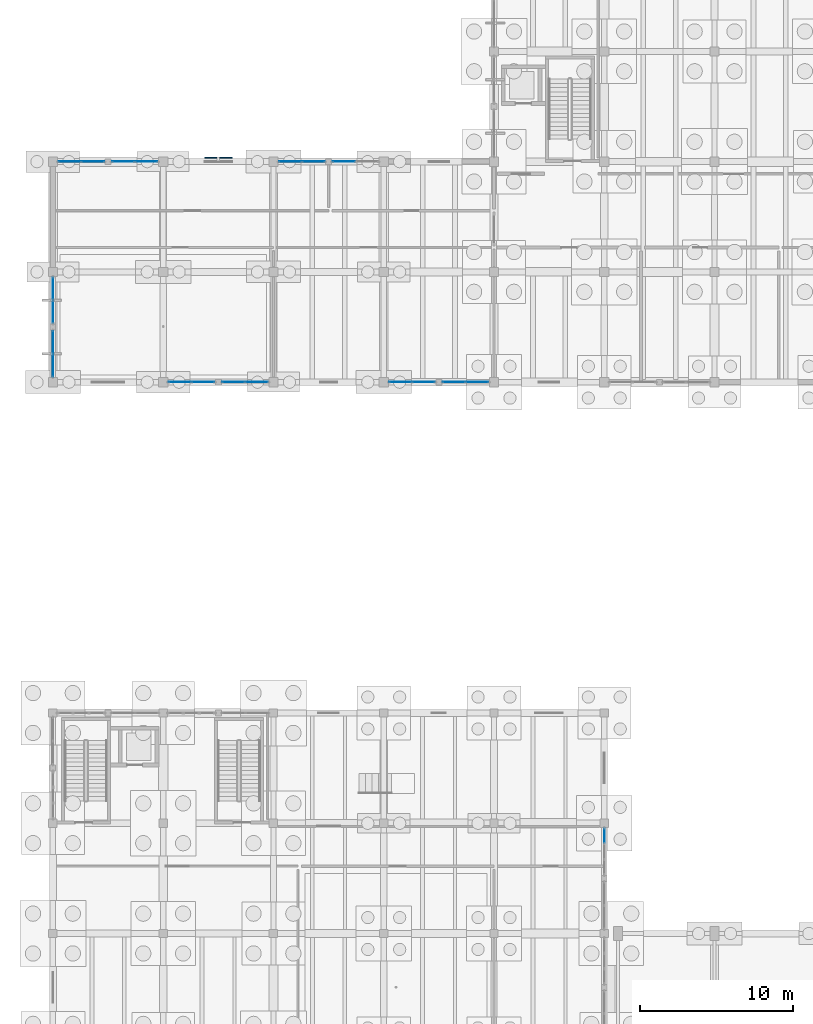
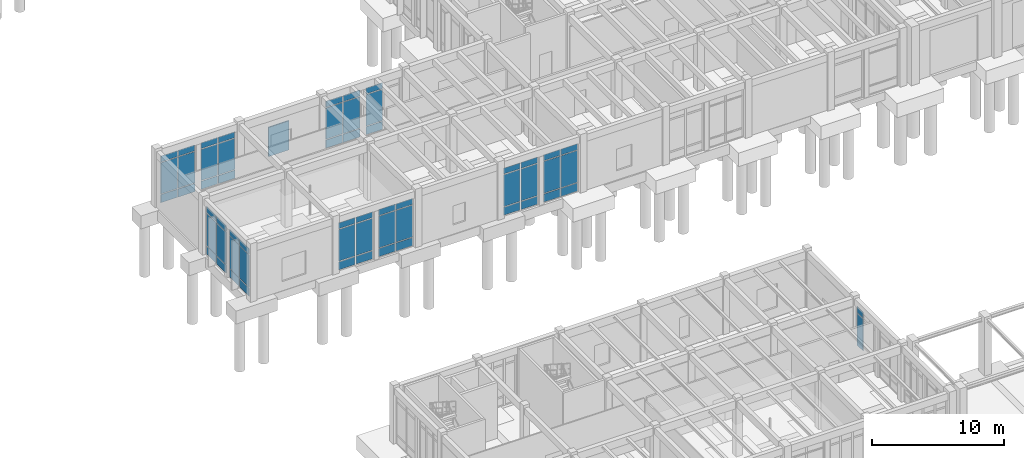
# One storey, part 51 of 93: 60 plates, 11 elements without a shape of their own.
"""IFC4 building model written with IfcOpenShell, lengths in metres."""

import ifcopenshell
import ifcopenshell.guid

model = None  # the IFC model being written
_history = None  # IfcOwnerHistory: only IFC2X3 demands one
_inside = {}  # id of a spatial element -> (the spatial element, [elements in it])
_under = {}  # id of a project, library or spatial element -> (it, [spatial elements below it])
_declared = {}  # id of a project -> (the project, [libraries it declares])
_typed = {}  # id of a type object -> (the type object, [elements of that type])
_made_of = {}  # id of a material, layer set ... -> (it, [elements and type objects made of it])


def new_model(schema):
    """Start an empty IFC model of exactly this schema.

    Asked for "IFC4X3", IfcOpenShell would pick the latest addendum, in which some entities
    have other attributes; the version numbers below select the first issue.
    IFC2X3 requires an IfcOwnerHistory on every rooted entity: one is made here for all.
    """
    global model, _history
    if schema == "IFC4X3":
        model = ifcopenshell.file(schema_version=(4, 3, 0, 0))
    else:
        model = ifcopenshell.file(schema=schema)
    _inside.clear()
    _under.clear()
    _declared.clear()
    _typed.clear()
    _made_of.clear()
    _history = None
    if model.schema == "IFC2X3":
        org = make("IfcOrganization", Name="unknown")
        user = make(
            "IfcPersonAndOrganization",
            ThePerson=make("IfcPerson", FamilyName="unknown"),
            TheOrganization=org,
        )
        app = make(
            "IfcApplication",
            ApplicationDeveloper=org,
            Version="unknown",
            ApplicationFullName="unknown",
            ApplicationIdentifier="unknown",
        )
        _history = make(
            "IfcOwnerHistory",
            OwningUser=user,
            OwningApplication=app,
            ChangeAction="ADDED",
            CreationDate=0,
        )
    return model


def make(cls, **values):
    """One entity of the class cls with the attributes given. An attribute that is None is left unset."""
    return model.create_entity(
        cls, **{name: value for name, value in values.items() if value is not None}
    )


def rooted(cls, **values):
    """An entity with a GlobalId (a new one), such as an element, a storey or a relation."""
    return make(cls, GlobalId=ifcopenshell.guid.new(), OwnerHistory=_history, **values)


def si_unit(unit_type, name, prefix=None):
    """IfcSIUnit, for example si_unit("LENGTHUNIT", "METRE", prefix="MILLI")."""
    return make("IfcSIUnit", UnitType=unit_type, Prefix=prefix, Name=name)


def assignment(units):
    """IfcUnitAssignment: the units of a project."""
    return None if units is None else make("IfcUnitAssignment", Units=units)


def point(xyz):
    """IfcCartesianPoint."""
    return None if xyz is None else make("IfcCartesianPoint", Coordinates=xyz)


def direction(xyz):
    """IfcDirection."""
    return None if xyz is None else make("IfcDirection", DirectionRatios=xyz)


def frame(location, z_axis=None, x_axis=None):
    """IfcAxis2Placement3D, a coordinate frame: its origin and axes. An axis left out is left unset."""
    return make(
        "IfcAxis2Placement3D",
        Location=point(location),
        Axis=direction(z_axis),
        RefDirection=direction(x_axis),
    )


def frame_2d(location, x_axis=None):
    """IfcAxis2Placement2D, a coordinate frame in the plane: its origin and x axis."""
    return make(
        "IfcAxis2Placement2D", Location=point(location), RefDirection=direction(x_axis)
    )


def origin():
    """The frame at (0, 0, 0) with its axes left unset."""
    return frame((0.0, 0.0, 0.0))


def origin_2d():
    """The frame at (0, 0) in the plane with its x axis left unset."""
    return frame_2d((0.0, 0.0))


def place(relative_to, where):
    """IfcLocalPlacement: puts the frame where relative to a parent placement (None: the world)."""
    return make(
        "IfcLocalPlacement", PlacementRelTo=relative_to, RelativePlacement=where
    )


def context(
    kind, dimensions, precision=None, world=None, true_north=None, identifier=None
):
    """IfcGeometricRepresentationContext, for example the 3D "Model" context."""
    return make(
        "IfcGeometricRepresentationContext",
        ContextIdentifier=identifier,
        ContextType=kind,
        CoordinateSpaceDimension=dimensions,
        Precision=precision,
        WorldCoordinateSystem=world,
        TrueNorth=true_north,
    )


def subcontext(parent, identifier, kind, view, scale=None):
    """IfcGeometricRepresentationSubContext, for example "Body" below "Model"."""
    return make(
        "IfcGeometricRepresentationSubContext",
        ContextIdentifier=identifier,
        ContextType=kind,
        ParentContext=parent,
        TargetScale=scale,
        TargetView=view,
    )


def project(units=None, contexts=None):
    """IfcProject with its units and contexts."""
    return rooted(
        "IfcProject",
        Name="project",
        RepresentationContexts=contexts,
        UnitsInContext=assignment(units),
    )


def spatial(cls, under=None, at=None, **own):
    """A site, building, storey or space (cls), placed at a placement, below another one or the project."""
    s = rooted(cls, ObjectPlacement=at, **own)
    if under is not None:
        _under.setdefault(under.id(), (under, []))[1].append(s)
    return s


def profile(cls, at=None, kind="AREA", **sizes):
    """A parametric profile (cls). Its sizes go by their IFC names, for example OverallWidth=200.0."""
    return make(cls, ProfileType=kind, Position=at, **sizes)


def rectangle(**sizes):
    """IfcRectangleProfileDef."""
    return profile("IfcRectangleProfileDef", **sizes)


def extrude(swept, where, along, depth):
    """IfcExtrudedAreaSolid: the profile swept, set in the frame where, extruded along a direction by depth."""
    return make(
        "IfcExtrudedAreaSolid",
        SweptArea=swept,
        Position=where,
        ExtrudedDirection=direction(along),
        Depth=depth,
    )


def shape(context_of_items, identifier, shape_type, items):
    """IfcShapeRepresentation: the items that make up one representation, for example the "Body"."""
    return make(
        "IfcShapeRepresentation",
        ContextOfItems=context_of_items,
        RepresentationIdentifier=identifier,
        RepresentationType=shape_type,
        Items=items,
    )


def material(Name=None, Category=None):
    """IfcMaterial."""
    return make("IfcMaterial", Name=Name, Category=Category)


def layer(
    of_material, thickness, ventilated=None, Name=None, Category=None, Priority=None
):
    """IfcMaterialLayer: one layer of a wall or slab, of a material (None: an air gap)."""
    return make(
        "IfcMaterialLayer",
        Material=of_material,
        LayerThickness=thickness,
        IsVentilated=ventilated,
        Name=Name,
        Category=Category,
        Priority=Priority,
    )


def layer_set(layers, Name=None):
    """IfcMaterialLayerSet."""
    return make("IfcMaterialLayerSet", MaterialLayers=layers, LayerSetName=Name)


def made_of(thing, what):
    """Note that an element or type object is made of a material, layer set ...; save() writes the relation."""
    if what is not None:
        _made_of.setdefault(what.id(), (what, []))[1].append(thing)
    return thing


def type_object(cls, material=None, **own):
    """A type object (cls), such as IfcWallType, which elements share."""
    return made_of(rooted(cls, **own), material)


def element(
    cls,
    number,
    at=None,
    inside=None,
    cuts=None,
    type_object=None,
    material=None,
    context=None,
    identifier="Body",
    shape_type=None,
    held_by="IfcProductDefinitionShape",
    body=None,
    shapes=None,
    **own,
):
    """One element of the class cls, such as IfcWall. Its Tag is "e" and its number.

    at: its placement. inside: the storey or other place that contains it. cuts: it is an
    opening in that element (IfcRelVoidsElement). A single representation is given by context,
    identifier, shape_type and body (its items); several are given by shapes. held_by: the class
    of the entity that holds the representations. save() writes the other relations.
    """
    e = rooted(cls, Tag="e%d" % number, ObjectPlacement=at, **own)
    if body is not None:
        shapes = [shape(context, identifier, shape_type, body)]
    if shapes is not None:
        e.Representation = make(held_by, Representations=shapes)
    if inside is not None:
        _inside.setdefault(inside.id(), (inside, []))[1].append(e)
    if cuts is not None:
        rooted(
            "IfcRelVoidsElement", RelatingBuildingElement=cuts, RelatedOpeningElement=e
        )
    if type_object is not None:
        _typed.setdefault(type_object.id(), (type_object, []))[1].append(e)
    return made_of(e, material)


def aggregate(whole, parts):
    """IfcRelAggregates: a whole, such as a stair, and the parts it consists of."""
    return rooted("IfcRelAggregates", RelatingObject=whole, RelatedObjects=parts)


def save(model, path):
    """Write the relations noted so far, then the file.

    IfcRelAggregates (storeys below a building ...), IfcRelContainedInSpatialStructure (elements
    in a storey), IfcRelDefinesByType, IfcRelAssociatesMaterial and IfcRelDeclares: one each for
    every whole, place, type object, material and project.
    """
    for whole, parts in _under.values():
        aggregate(whole, parts)
    for where, things in _inside.values():
        rooted(
            "IfcRelContainedInSpatialStructure",
            RelatedElements=things,
            RelatingStructure=where,
        )
    for kind, things in _typed.values():
        rooted("IfcRelDefinesByType", RelatedObjects=things, RelatingType=kind)
    for what, things in _made_of.values():
        rooted("IfcRelAssociatesMaterial", RelatedObjects=things, RelatingMaterial=what)
    for by, libraries in _declared.values():
        rooted("IfcRelDeclares", RelatingContext=by, RelatedDefinitions=libraries)
    model.write(path)


model = new_model("IFC4")

# Units and contexts
model_context = context("Model", 3, precision=1e-05, world=origin(), true_north=direction((0.0, 1.0)))
body_context = subcontext(model_context, "Body", "Model", "MODEL_VIEW")
ifc_project = project(units=[si_unit("LENGTHUNIT", "METRE"), si_unit("AREAUNIT", "SQUARE_METRE"), si_unit("VOLUMEUNIT", "CUBIC_METRE"), si_unit("PLANEANGLEUNIT", "RADIAN"), si_unit("MASSUNIT", "GRAM", prefix="KILO")], contexts=[model_context])

# Site, building, storey
site_placement = place(None, origin())
site = spatial("IfcSite", under=ifc_project, at=site_placement, CompositionType="ELEMENT")
building_placement = place(site_placement, origin())
building = spatial("IfcBuilding", under=site, at=building_placement, Name="Koriwan Promenade Central Fire Station", CompositionType="ELEMENT")
storey_placement = place(building_placement, origin())
storey = spatial("IfcBuildingStorey", under=building, at=storey_placement, Name="L00", CompositionType="ELEMENT", Elevation=0.0)

# Curtain wall, plates
ifc_material_1 = material(Name="Aluminium EN AW-6063-T6 and low-E glazing", Category="aluminium")
ifc_layer_1 = layer(ifc_material_1, 0.159912109375, Name="Aluminium EN AW-6063-T6 and low-E glazing")
ifc_layer_set_1 = layer_set([ifc_layer_1], Name="Aluminium EN AW-6063-T6 and low-E glazing")
curtain_wall_type_1 = type_object("IfcCurtainWallType", Name="CurtainWall_33_310x454", PredefinedType="USERDEFINED", material=ifc_layer_set_1)
curtain_wall_1_placement = place(storey_placement, origin())
curtain_wall_1 = element("IfcCurtainWall", 1, at=curtain_wall_1_placement, inside=storey, type_object=curtain_wall_type_1, Name="V4 L00 unitised curtain wall 081", ObjectType="UNITISED CURTAIN WALL", PredefinedType="USERDEFINED")
ifc_material_2 = material(Name="Low-E laminated double glazing", Category="glass")
ifc_layer_2 = layer(ifc_material_2, 0.028076171875, Name="Low-E laminated double glazing")
ifc_layer_set_2 = layer_set([ifc_layer_2], Name="Low-E laminated double glazing")
plate_type_1 = type_object("IfcPlateType", Name="CWPanel_28", PredefinedType="CURTAIN_PANEL", material=ifc_layer_set_2)
plate_1_placement = place(storey_placement, frame((0.0, 44.291259765625, 0.06494140625), z_axis=(0.0, 0.0, 1.0), x_axis=(0.0, 1.0, 0.0)))
plate_1 = element("IfcPlate", 2, at=plate_1_placement, type_object=plate_type_1, Name="CW-33 panel 1.1", PredefinedType="CURTAIN_PANEL", context=body_context, shape_type="SweptSolid", body=[
    extrude(rectangle(XDim=1.452392578125, YDim=0.028076171875, at=origin_2d()), origin(), (0.0, 0.0, 1.0), 0.75244140625),
])
plate_2_placement = place(storey_placement, frame((0.0, 44.291259765625, 0.882568359375), z_axis=(0.0, 0.0, 1.0), x_axis=(0.0, 1.0, 0.0)))
plate_2 = element("IfcPlate", 3, at=plate_2_placement, type_object=plate_type_1, Name="CW-33 panel 1.2", PredefinedType="CURTAIN_PANEL", context=body_context, shape_type="SweptSolid", body=[
    extrude(rectangle(XDim=1.452392578125, YDim=0.028076171875, at=origin_2d()), origin(), (0.0, 0.0, 1.0), 2.97509765625),
])
plate_3_placement = place(storey_placement, frame((0.0, 44.291259765625, 3.92236328125), z_axis=(0.0, 0.0, 1.0), x_axis=(0.0, 1.0, 0.0)))
plate_3 = element("IfcPlate", 4, at=plate_3_placement, type_object=plate_type_1, Name="CW-33 panel 1.3", PredefinedType="CURTAIN_PANEL", context=body_context, shape_type="SweptSolid", body=[
    extrude(rectangle(XDim=1.452392578125, YDim=0.028076171875, at=origin_2d()), origin(), (0.0, 0.0, 1.0), 0.552490234375),
])
plate_4_placement = place(storey_placement, frame((0.0, 45.808837890625, 0.06494140625), z_axis=(0.0, 0.0, 1.0), x_axis=(0.0, 1.0, 0.0)))
plate_4 = element("IfcPlate", 5, at=plate_4_placement, type_object=plate_type_1, Name="CW-33 panel 2.1", PredefinedType="CURTAIN_PANEL", context=body_context, shape_type="SweptSolid", body=[
    extrude(rectangle(XDim=1.452392578125, YDim=0.028076171875, at=origin_2d()), origin(), (0.0, 0.0, 1.0), 0.75244140625),
])
plate_5_placement = place(storey_placement, frame((0.0, 45.808837890625, 0.882568359375), z_axis=(0.0, 0.0, 1.0), x_axis=(0.0, 1.0, 0.0)))
plate_5 = element("IfcPlate", 6, at=plate_5_placement, type_object=plate_type_1, Name="CW-33 panel 2.2", PredefinedType="CURTAIN_PANEL", context=body_context, shape_type="SweptSolid", body=[
    extrude(rectangle(XDim=1.452392578125, YDim=0.028076171875, at=origin_2d()), origin(), (0.0, 0.0, 1.0), 2.97509765625),
])
plate_6_placement = place(storey_placement, frame((0.0, 45.808837890625, 3.92236328125), z_axis=(0.0, 0.0, 1.0), x_axis=(0.0, 1.0, 0.0)))
plate_6 = element("IfcPlate", 7, at=plate_6_placement, type_object=plate_type_1, Name="CW-33 panel 2.3", PredefinedType="CURTAIN_PANEL", context=body_context, shape_type="SweptSolid", body=[
    extrude(rectangle(XDim=1.452392578125, YDim=0.028076171875, at=origin_2d()), origin(), (0.0, 0.0, 1.0), 0.552490234375),
])
aggregate(curtain_wall_1, [plate_1, plate_2, plate_3, plate_4, plate_5, plate_6])

ifc_layer_3 = layer(ifc_material_1, 0.159912109375, Name="Aluminium EN AW-6063-T6 and low-E glazing")
ifc_layer_set_3 = layer_set([ifc_layer_3], Name="Aluminium EN AW-6063-T6 and low-E glazing")
curtain_wall_type_2 = type_object("IfcCurtainWallType", Name="CurtainWall_35_310x444", PredefinedType="USERDEFINED", material=ifc_layer_set_3)
curtain_wall_2_placement = place(storey_placement, origin())
curtain_wall_2 = element("IfcCurtainWall", 8, at=curtain_wall_2_placement, inside=storey, type_object=curtain_wall_type_2, Name="V4 L00 unitised curtain wall 083", ObjectType="UNITISED CURTAIN WALL", PredefinedType="USERDEFINED")
plate_7_placement = place(storey_placement, frame((1.09130859375, 57.60009765625, 0.06494140625), z_axis=(0.0, 0.0, 1.0), x_axis=(1.0, 0.0, 0.0)))
plate_7 = element("IfcPlate", 9, at=plate_7_placement, type_object=plate_type_1, Name="CW-35 panel 1.1", PredefinedType="CURTAIN_PANEL", context=body_context, shape_type="SweptSolid", body=[
    extrude(rectangle(XDim=1.452392578125, YDim=0.028076171875, at=origin_2d()), origin(), (0.0, 0.0, 1.0), 0.75244140625),
])
plate_8_placement = place(storey_placement, frame((1.09130859375, 57.60009765625, 0.882568359375), z_axis=(0.0, 0.0, 1.0), x_axis=(1.0, 0.0, 0.0)))
plate_8 = element("IfcPlate", 10, at=plate_8_placement, type_object=plate_type_1, Name="CW-35 panel 1.2", PredefinedType="CURTAIN_PANEL", context=body_context, shape_type="SweptSolid", body=[
    extrude(rectangle(XDim=1.452392578125, YDim=0.028076171875, at=origin_2d()), origin(), (0.0, 0.0, 1.0), 2.875),
])
plate_9_placement = place(storey_placement, frame((1.09130859375, 57.60009765625, 3.822265625), z_axis=(0.0, 0.0, 1.0), x_axis=(1.0, 0.0, 0.0)))
plate_9 = element("IfcPlate", 11, at=plate_9_placement, type_object=plate_type_1, Name="CW-35 panel 1.3", PredefinedType="CURTAIN_PANEL", context=body_context, shape_type="SweptSolid", body=[
    extrude(rectangle(XDim=1.452392578125, YDim=0.028076171875, at=origin_2d()), origin(), (0.0, 0.0, 1.0), 0.552490234375),
])
plate_10_placement = place(storey_placement, frame((2.608642578125, 57.60009765625, 0.06494140625), z_axis=(0.0, 0.0, 1.0), x_axis=(1.0, 0.0, 0.0)))
plate_10 = element("IfcPlate", 12, at=plate_10_placement, type_object=plate_type_1, Name="CW-35 panel 2.1", PredefinedType="CURTAIN_PANEL", context=body_context, shape_type="SweptSolid", body=[
    extrude(rectangle(XDim=1.452392578125, YDim=0.028076171875, at=origin_2d()), origin(), (0.0, 0.0, 1.0), 0.75244140625),
])
plate_11_placement = place(storey_placement, frame((2.608642578125, 57.60009765625, 0.882568359375), z_axis=(0.0, 0.0, 1.0), x_axis=(1.0, 0.0, 0.0)))
plate_11 = element("IfcPlate", 13, at=plate_11_placement, type_object=plate_type_1, Name="CW-35 panel 2.2", PredefinedType="CURTAIN_PANEL", context=body_context, shape_type="SweptSolid", body=[
    extrude(rectangle(XDim=1.452392578125, YDim=0.028076171875, at=origin_2d()), origin(), (0.0, 0.0, 1.0), 2.875),
])
plate_12_placement = place(storey_placement, frame((2.608642578125, 57.60009765625, 3.822265625), z_axis=(0.0, 0.0, 1.0), x_axis=(1.0, 0.0, 0.0)))
plate_12 = element("IfcPlate", 14, at=plate_12_placement, type_object=plate_type_1, Name="CW-35 panel 2.3", PredefinedType="CURTAIN_PANEL", context=body_context, shape_type="SweptSolid", body=[
    extrude(rectangle(XDim=1.452392578125, YDim=0.028076171875, at=origin_2d()), origin(), (0.0, 0.0, 1.0), 0.552490234375),
])
aggregate(curtain_wall_2, [plate_7, plate_8, plate_9, plate_10, plate_11, plate_12])

ifc_layer_4 = layer(ifc_material_1, 0.159912109375, Name="Aluminium EN AW-6063-T6 and low-E glazing")
ifc_layer_set_4 = layer_set([ifc_layer_4], Name="Aluminium EN AW-6063-T6 and low-E glazing")
curtain_wall_type_3 = type_object("IfcCurtainWallType", Name="CurtainWall_37_310x445", PredefinedType="USERDEFINED", material=ifc_layer_set_4)
curtain_wall_3_placement = place(storey_placement, origin())
curtain_wall_3 = element("IfcCurtainWall", 15, at=curtain_wall_3_placement, inside=storey, type_object=curtain_wall_type_3, Name="V4 L00 unitised curtain wall 085", ObjectType="UNITISED CURTAIN WALL", PredefinedType="USERDEFINED")
plate_13_placement = place(storey_placement, frame((15.4912109375, 57.60009765625, 0.06494140625), z_axis=(0.0, 0.0, 1.0), x_axis=(1.0, 0.0, 0.0)))
plate_13 = element("IfcPlate", 16, at=plate_13_placement, type_object=plate_type_1, Name="CW-37 panel 1.1", PredefinedType="CURTAIN_PANEL", context=body_context, shape_type="SweptSolid", body=[
    extrude(rectangle(XDim=1.452392578125, YDim=0.028076171875, at=origin_2d()), origin(), (0.0, 0.0, 1.0), 0.75244140625),
])
plate_14_placement = place(storey_placement, frame((15.4912109375, 57.60009765625, 0.88232421875), z_axis=(0.0, 0.0, 1.0), x_axis=(1.0, 0.0, 0.0)))
plate_14 = element("IfcPlate", 17, at=plate_14_placement, type_object=plate_type_1, Name="CW-37 panel 1.2", PredefinedType="CURTAIN_PANEL", context=body_context, shape_type="SweptSolid", body=[
    extrude(rectangle(XDim=1.452392578125, YDim=0.028076171875, at=origin_2d()), origin(), (0.0, 0.0, 1.0), 2.885009765625),
])
plate_15_placement = place(storey_placement, frame((15.4912109375, 57.60009765625, 3.83251953125), z_axis=(0.0, 0.0, 1.0), x_axis=(1.0, 0.0, 0.0)))
plate_15 = element("IfcPlate", 18, at=plate_15_placement, type_object=plate_type_1, Name="CW-37 panel 1.3", PredefinedType="CURTAIN_PANEL", context=body_context, shape_type="SweptSolid", body=[
    extrude(rectangle(XDim=1.452392578125, YDim=0.028076171875, at=origin_2d()), origin(), (0.0, 0.0, 1.0), 0.552490234375),
])
plate_16_placement = place(storey_placement, frame((17.0087890625, 57.60009765625, 0.06494140625), z_axis=(0.0, 0.0, 1.0), x_axis=(1.0, 0.0, 0.0)))
plate_16 = element("IfcPlate", 19, at=plate_16_placement, type_object=plate_type_1, Name="CW-37 panel 2.1", PredefinedType="CURTAIN_PANEL", context=body_context, shape_type="SweptSolid", body=[
    extrude(rectangle(XDim=1.452392578125, YDim=0.028076171875, at=origin_2d()), origin(), (0.0, 0.0, 1.0), 0.75244140625),
])
plate_17_placement = place(storey_placement, frame((17.0087890625, 57.60009765625, 0.88232421875), z_axis=(0.0, 0.0, 1.0), x_axis=(1.0, 0.0, 0.0)))
plate_17 = element("IfcPlate", 20, at=plate_17_placement, type_object=plate_type_1, Name="CW-37 panel 2.2", PredefinedType="CURTAIN_PANEL", context=body_context, shape_type="SweptSolid", body=[
    extrude(rectangle(XDim=1.452392578125, YDim=0.028076171875, at=origin_2d()), origin(), (0.0, 0.0, 1.0), 2.885009765625),
])
plate_18_placement = place(storey_placement, frame((17.0087890625, 57.60009765625, 3.83251953125), z_axis=(0.0, 0.0, 1.0), x_axis=(1.0, 0.0, 0.0)))
plate_18 = element("IfcPlate", 21, at=plate_18_placement, type_object=plate_type_1, Name="CW-37 panel 2.3", PredefinedType="CURTAIN_PANEL", context=body_context, shape_type="SweptSolid", body=[
    extrude(rectangle(XDim=1.452392578125, YDim=0.028076171875, at=origin_2d()), origin(), (0.0, 0.0, 1.0), 0.552490234375),
])
aggregate(curtain_wall_3, [plate_13, plate_14, plate_15, plate_16, plate_17, plate_18])

ifc_layer_5 = layer(ifc_material_1, 0.159912109375, Name="Aluminium EN AW-6063-T6 and low-E glazing")
ifc_layer_set_5 = layer_set([ifc_layer_5], Name="Aluminium EN AW-6063-T6 and low-E glazing")
curtain_wall_type_4 = type_object("IfcCurtainWallType", Name="CurtainWall_42_310x450", PredefinedType="USERDEFINED", material=ifc_layer_set_5)
curtain_wall_4_placement = place(storey_placement, origin())
curtain_wall_4 = element("IfcCurtainWall", 22, at=curtain_wall_4_placement, inside=storey, type_object=curtain_wall_type_4, Name="V4 L00 unitised curtain wall 105", ObjectType="UNITISED CURTAIN WALL", PredefinedType="USERDEFINED")
plate_19_placement = place(storey_placement, frame((27.708740234375, 43.199951171875, 0.06494140625), z_axis=(0.0, 0.0, 1.0), x_axis=(-1.0, 0.0, 0.0)))
plate_19 = element("IfcPlate", 23, at=plate_19_placement, type_object=plate_type_1, Name="CW-42 panel 1.1", PredefinedType="CURTAIN_PANEL", context=body_context, shape_type="SweptSolid", body=[
    extrude(rectangle(XDim=1.452392578125, YDim=0.028076171875, at=origin_2d()), origin(), (0.0, 0.0, 1.0), 0.75244140625),
])
plate_20_placement = place(storey_placement, frame((27.708740234375, 43.199951171875, 0.882568359375), z_axis=(0.0, 0.0, 1.0), x_axis=(-1.0, 0.0, 0.0)))
plate_20 = element("IfcPlate", 24, at=plate_20_placement, type_object=plate_type_1, Name="CW-42 panel 1.2", PredefinedType="CURTAIN_PANEL", context=body_context, shape_type="SweptSolid", body=[
    extrude(rectangle(XDim=1.452392578125, YDim=0.028076171875, at=origin_2d()), origin(), (0.0, 0.0, 1.0), 2.93505859375),
])
plate_21_placement = place(storey_placement, frame((27.708740234375, 43.199951171875, 3.88232421875), z_axis=(0.0, 0.0, 1.0), x_axis=(-1.0, 0.0, 0.0)))
plate_21 = element("IfcPlate", 25, at=plate_21_placement, type_object=plate_type_1, Name="CW-42 panel 1.3", PredefinedType="CURTAIN_PANEL", context=body_context, shape_type="SweptSolid", body=[
    extrude(rectangle(XDim=1.452392578125, YDim=0.028076171875, at=origin_2d()), origin(), (0.0, 0.0, 1.0), 0.552490234375),
])
plate_22_placement = place(storey_placement, frame((26.191162109375, 43.199951171875, 0.06494140625), z_axis=(0.0, 0.0, 1.0), x_axis=(-1.0, 0.0, 0.0)))
plate_22 = element("IfcPlate", 26, at=plate_22_placement, type_object=plate_type_1, Name="CW-42 panel 2.1", PredefinedType="CURTAIN_PANEL", context=body_context, shape_type="SweptSolid", body=[
    extrude(rectangle(XDim=1.452392578125, YDim=0.028076171875, at=origin_2d()), origin(), (0.0, 0.0, 1.0), 0.75244140625),
])
plate_23_placement = place(storey_placement, frame((26.191162109375, 43.199951171875, 0.882568359375), z_axis=(0.0, 0.0, 1.0), x_axis=(-1.0, 0.0, 0.0)))
plate_23 = element("IfcPlate", 27, at=plate_23_placement, type_object=plate_type_1, Name="CW-42 panel 2.2", PredefinedType="CURTAIN_PANEL", context=body_context, shape_type="SweptSolid", body=[
    extrude(rectangle(XDim=1.452392578125, YDim=0.028076171875, at=origin_2d()), origin(), (0.0, 0.0, 1.0), 2.93505859375),
])
plate_24_placement = place(storey_placement, frame((26.191162109375, 43.199951171875, 3.88232421875), z_axis=(0.0, 0.0, 1.0), x_axis=(-1.0, 0.0, 0.0)))
plate_24 = element("IfcPlate", 28, at=plate_24_placement, type_object=plate_type_1, Name="CW-42 panel 2.3", PredefinedType="CURTAIN_PANEL", context=body_context, shape_type="SweptSolid", body=[
    extrude(rectangle(XDim=1.452392578125, YDim=0.028076171875, at=origin_2d()), origin(), (0.0, 0.0, 1.0), 0.552490234375),
])
aggregate(curtain_wall_4, [plate_19, plate_20, plate_21, plate_22, plate_23, plate_24])

ifc_layer_6 = layer(ifc_material_1, 0.159912109375, Name="Aluminium EN AW-6063-T6 and low-E glazing")
ifc_layer_set_6 = layer_set([ifc_layer_6], Name="Aluminium EN AW-6063-T6 and low-E glazing")
curtain_wall_type_5 = type_object("IfcCurtainWallType", Name="CurtainWall_24_310x449", PredefinedType="USERDEFINED", material=ifc_layer_set_6)
curtain_wall_5_placement = place(storey_placement, origin())
curtain_wall_5 = element("IfcCurtainWall", 29, at=curtain_wall_5_placement, inside=storey, type_object=curtain_wall_type_5, Name="V4 L00 unitised curtain wall 107", ObjectType="UNITISED CURTAIN WALL", PredefinedType="USERDEFINED")
plate_25_placement = place(storey_placement, frame((13.308837890625, 43.199951171875, 0.06494140625), z_axis=(0.0, 0.0, 1.0), x_axis=(-1.0, 0.0, 0.0)))
plate_25 = element("IfcPlate", 30, at=plate_25_placement, type_object=plate_type_1, Name="CW-24 panel 1.1", PredefinedType="CURTAIN_PANEL", context=body_context, shape_type="SweptSolid", body=[
    extrude(rectangle(XDim=1.452392578125, YDim=0.028076171875, at=origin_2d()), origin(), (0.0, 0.0, 1.0), 0.75244140625),
])
plate_26_placement = place(storey_placement, frame((13.308837890625, 43.199951171875, 0.88232421875), z_axis=(0.0, 0.0, 1.0), x_axis=(-1.0, 0.0, 0.0)))
plate_26 = element("IfcPlate", 31, at=plate_26_placement, type_object=plate_type_1, Name="CW-24 panel 1.2", PredefinedType="CURTAIN_PANEL", context=body_context, shape_type="SweptSolid", body=[
    extrude(rectangle(XDim=1.452392578125, YDim=0.028076171875, at=origin_2d()), origin(), (0.0, 0.0, 1.0), 2.925048828125),
])
plate_27_placement = place(storey_placement, frame((13.308837890625, 43.199951171875, 3.87255859375), z_axis=(0.0, 0.0, 1.0), x_axis=(-1.0, 0.0, 0.0)))
plate_27 = element("IfcPlate", 32, at=plate_27_placement, type_object=plate_type_1, Name="CW-24 panel 1.3", PredefinedType="CURTAIN_PANEL", context=body_context, shape_type="SweptSolid", body=[
    extrude(rectangle(XDim=1.452392578125, YDim=0.028076171875, at=origin_2d()), origin(), (0.0, 0.0, 1.0), 0.552490234375),
])
plate_28_placement = place(storey_placement, frame((11.791259765625, 43.199951171875, 0.06494140625), z_axis=(0.0, 0.0, 1.0), x_axis=(-1.0, 0.0, 0.0)))
plate_28 = element("IfcPlate", 33, at=plate_28_placement, type_object=plate_type_1, Name="CW-24 panel 2.1", PredefinedType="CURTAIN_PANEL", context=body_context, shape_type="SweptSolid", body=[
    extrude(rectangle(XDim=1.452392578125, YDim=0.028076171875, at=origin_2d()), origin(), (0.0, 0.0, 1.0), 0.75244140625),
])
plate_29_placement = place(storey_placement, frame((11.791259765625, 43.199951171875, 0.88232421875), z_axis=(0.0, 0.0, 1.0), x_axis=(-1.0, 0.0, 0.0)))
plate_29 = element("IfcPlate", 34, at=plate_29_placement, type_object=plate_type_1, Name="CW-24 panel 2.2", PredefinedType="CURTAIN_PANEL", context=body_context, shape_type="SweptSolid", body=[
    extrude(rectangle(XDim=1.452392578125, YDim=0.028076171875, at=origin_2d()), origin(), (0.0, 0.0, 1.0), 2.925048828125),
])
plate_30_placement = place(storey_placement, frame((11.791259765625, 43.199951171875, 3.87255859375), z_axis=(0.0, 0.0, 1.0), x_axis=(-1.0, 0.0, 0.0)))
plate_30 = element("IfcPlate", 35, at=plate_30_placement, type_object=plate_type_1, Name="CW-24 panel 2.3", PredefinedType="CURTAIN_PANEL", context=body_context, shape_type="SweptSolid", body=[
    extrude(rectangle(XDim=1.452392578125, YDim=0.028076171875, at=origin_2d()), origin(), (0.0, 0.0, 1.0), 0.552490234375),
])
aggregate(curtain_wall_5, [plate_25, plate_26, plate_27, plate_28, plate_29, plate_30])

ifc_layer_7 = layer(ifc_material_1, 0.159912109375, Name="Aluminium EN AW-6063-T6 and low-E glazing")
ifc_layer_set_7 = layer_set([ifc_layer_7], Name="Aluminium EN AW-6063-T6 and low-E glazing")
curtain_wall_type_6 = type_object("IfcCurtainWallType", Name="CurtainWall_19_312x454", PredefinedType="USERDEFINED", material=ifc_layer_set_7)
curtain_wall_6_placement = place(storey_placement, origin())
curtain_wall_6 = element("IfcCurtainWall", 36, at=curtain_wall_6_placement, inside=storey, type_object=curtain_wall_type_6, Name="V3 L00 unitised curtain wall 054", ObjectType="UNITISED CURTAIN WALL", PredefinedType="USERDEFINED")
ifc_material_3 = material(Name="Solar-control low-E acoustic glazing", Category="glass")
ifc_layer_8 = layer(ifc_material_3, 0.031982421875, Name="Solar-control low-E acoustic glazing")
ifc_layer_set_8 = layer_set([ifc_layer_8], Name="Solar-control low-E acoustic glazing")
plate_type_2 = type_object("IfcPlateType", Name="CWPanel_32", PredefinedType="CURTAIN_PANEL", material=ifc_layer_set_8)
plate_31_placement = place(storey_placement, frame((36.0, 13.58544921875, 0.8876953125), z_axis=(0.0, 0.0, 1.0), x_axis=(0.0, 1.0, 0.0)))
plate_31 = element("IfcPlate", 37, at=plate_31_placement, type_object=plate_type_2, Name="CW-19 panel 3.2", PredefinedType="CURTAIN_PANEL", context=body_context, shape_type="SweptSolid", body=[
    extrude(rectangle(XDim=0.92919921875, YDim=0.031982421875, at=origin_2d()), origin(), (0.0, 0.0, 1.0), 2.965087890625),
])
plate_32_placement = place(storey_placement, frame((36.0, 13.58544921875, 3.927490234375), z_axis=(0.0, 0.0, 1.0), x_axis=(0.0, 1.0, 0.0)))
plate_32 = element("IfcPlate", 38, at=plate_32_placement, type_object=plate_type_2, Name="CW-19 panel 3.3", PredefinedType="CURTAIN_PANEL", context=body_context, shape_type="SweptSolid", body=[
    extrude(rectangle(XDim=0.92919921875, YDim=0.031982421875, at=origin_2d()), origin(), (0.0, 0.0, 1.0), 0.53759765625),
])
aggregate(curtain_wall_6, [plate_31, plate_32])

ifc_layer_9 = layer(ifc_material_1, 0.159912109375, Name="Aluminium EN AW-6063-T6 and low-E glazing")
ifc_layer_set_9 = layer_set([ifc_layer_9], Name="Aluminium EN AW-6063-T6 and low-E glazing")
curtain_wall_type_7 = type_object("IfcCurtainWallType", Name="CurtainWall_34_310x454", PredefinedType="USERDEFINED", material=ifc_layer_set_9)
curtain_wall_7_placement = place(storey_placement, origin())
curtain_wall_7 = element("IfcCurtainWall", 39, at=curtain_wall_7_placement, inside=storey, type_object=curtain_wall_type_7, Name="V4 L00 unitised curtain wall 082", ObjectType="UNITISED CURTAIN WALL", PredefinedType="USERDEFINED")
plate_33_placement = place(storey_placement, frame((0.0, 47.793701171875, 0.0751953125), z_axis=(0.0, 0.0, 1.0), x_axis=(0.0, 1.0, 0.0)))
plate_33 = element("IfcPlate", 40, at=plate_33_placement, type_object=plate_type_2, Name="CW-34 panel 1.1", PredefinedType="CURTAIN_PANEL", context=body_context, shape_type="SweptSolid", body=[
    extrude(rectangle(XDim=1.4375, YDim=0.031982421875, at=origin_2d()), origin(), (0.0, 0.0, 1.0), 0.737548828125),
])
plate_34_placement = place(storey_placement, frame((0.0, 47.793701171875, 0.8876953125), z_axis=(0.0, 0.0, 1.0), x_axis=(0.0, 1.0, 0.0)))
plate_34 = element("IfcPlate", 41, at=plate_34_placement, type_object=plate_type_2, Name="CW-34 panel 1.2", PredefinedType="CURTAIN_PANEL", context=body_context, shape_type="SweptSolid", body=[
    extrude(rectangle(XDim=1.4375, YDim=0.031982421875, at=origin_2d()), origin(), (0.0, 0.0, 1.0), 2.965087890625),
])
plate_35_placement = place(storey_placement, frame((0.0, 47.793701171875, 3.927490234375), z_axis=(0.0, 0.0, 1.0), x_axis=(0.0, 1.0, 0.0)))
plate_35 = element("IfcPlate", 42, at=plate_35_placement, type_object=plate_type_2, Name="CW-34 panel 1.3", PredefinedType="CURTAIN_PANEL", context=body_context, shape_type="SweptSolid", body=[
    extrude(rectangle(XDim=1.4375, YDim=0.031982421875, at=origin_2d()), origin(), (0.0, 0.0, 1.0), 0.53759765625),
])
plate_36_placement = place(storey_placement, frame((0.0, 49.30615234375, 0.0751953125), z_axis=(0.0, 0.0, 1.0), x_axis=(0.0, 1.0, 0.0)))
plate_36 = element("IfcPlate", 43, at=plate_36_placement, type_object=plate_type_2, Name="CW-34 panel 2.1", PredefinedType="CURTAIN_PANEL", context=body_context, shape_type="SweptSolid", body=[
    extrude(rectangle(XDim=1.4375, YDim=0.031982421875, at=origin_2d()), origin(), (0.0, 0.0, 1.0), 0.737548828125),
])
plate_37_placement = place(storey_placement, frame((0.0, 49.30615234375, 0.8876953125), z_axis=(0.0, 0.0, 1.0), x_axis=(0.0, 1.0, 0.0)))
plate_37 = element("IfcPlate", 44, at=plate_37_placement, type_object=plate_type_2, Name="CW-34 panel 2.2", PredefinedType="CURTAIN_PANEL", context=body_context, shape_type="SweptSolid", body=[
    extrude(rectangle(XDim=1.4375, YDim=0.031982421875, at=origin_2d()), origin(), (0.0, 0.0, 1.0), 2.965087890625),
])
plate_38_placement = place(storey_placement, frame((0.0, 49.30615234375, 3.927490234375), z_axis=(0.0, 0.0, 1.0), x_axis=(0.0, 1.0, 0.0)))
plate_38 = element("IfcPlate", 45, at=plate_38_placement, type_object=plate_type_2, Name="CW-34 panel 2.3", PredefinedType="CURTAIN_PANEL", context=body_context, shape_type="SweptSolid", body=[
    extrude(rectangle(XDim=1.4375, YDim=0.031982421875, at=origin_2d()), origin(), (0.0, 0.0, 1.0), 0.53759765625),
])
aggregate(curtain_wall_7, [plate_33, plate_34, plate_35, plate_36, plate_37, plate_38])

ifc_layer_10 = layer(ifc_material_1, 0.159912109375, Name="Aluminium EN AW-6063-T6 and low-E glazing")
ifc_layer_set_10 = layer_set([ifc_layer_10], Name="Aluminium EN AW-6063-T6 and low-E glazing")
curtain_wall_type_8 = type_object("IfcCurtainWallType", Name="CurtainWall_36_310x444", PredefinedType="USERDEFINED", material=ifc_layer_set_10)
curtain_wall_8_placement = place(storey_placement, origin())
curtain_wall_8 = element("IfcCurtainWall", 46, at=curtain_wall_8_placement, inside=storey, type_object=curtain_wall_type_8, Name="V4 L00 unitised curtain wall 084", ObjectType="UNITISED CURTAIN WALL", PredefinedType="USERDEFINED")
plate_39_placement = place(storey_placement, frame((4.59375, 57.60009765625, 0.0751953125), z_axis=(0.0, 0.0, 1.0), x_axis=(1.0, 0.0, 0.0)))
plate_39 = element("IfcPlate", 47, at=plate_39_placement, type_object=plate_type_2, Name="CW-36 panel 1.1", PredefinedType="CURTAIN_PANEL", context=body_context, shape_type="SweptSolid", body=[
    extrude(rectangle(XDim=1.4375, YDim=0.031982421875, at=origin_2d()), origin(), (0.0, 0.0, 1.0), 0.737548828125),
])
plate_40_placement = place(storey_placement, frame((4.59375, 57.60009765625, 0.8876953125), z_axis=(0.0, 0.0, 1.0), x_axis=(1.0, 0.0, 0.0)))
plate_40 = element("IfcPlate", 48, at=plate_40_placement, type_object=plate_type_2, Name="CW-36 panel 1.2", PredefinedType="CURTAIN_PANEL", context=body_context, shape_type="SweptSolid", body=[
    extrude(rectangle(XDim=1.4375, YDim=0.031982421875, at=origin_2d()), origin(), (0.0, 0.0, 1.0), 2.864990234375),
])
plate_41_placement = place(storey_placement, frame((4.59375, 57.60009765625, 3.827392578125), z_axis=(0.0, 0.0, 1.0), x_axis=(1.0, 0.0, 0.0)))
plate_41 = element("IfcPlate", 49, at=plate_41_placement, type_object=plate_type_2, Name="CW-36 panel 1.3", PredefinedType="CURTAIN_PANEL", context=body_context, shape_type="SweptSolid", body=[
    extrude(rectangle(XDim=1.4375, YDim=0.031982421875, at=origin_2d()), origin(), (0.0, 0.0, 1.0), 0.53759765625),
])
plate_42_placement = place(storey_placement, frame((6.106201171875, 57.60009765625, 0.0751953125), z_axis=(0.0, 0.0, 1.0), x_axis=(1.0, 0.0, 0.0)))
plate_42 = element("IfcPlate", 50, at=plate_42_placement, type_object=plate_type_2, Name="CW-36 panel 2.1", PredefinedType="CURTAIN_PANEL", context=body_context, shape_type="SweptSolid", body=[
    extrude(rectangle(XDim=1.4375, YDim=0.031982421875, at=origin_2d()), origin(), (0.0, 0.0, 1.0), 0.737548828125),
])
plate_43_placement = place(storey_placement, frame((6.106201171875, 57.60009765625, 0.8876953125), z_axis=(0.0, 0.0, 1.0), x_axis=(1.0, 0.0, 0.0)))
plate_43 = element("IfcPlate", 51, at=plate_43_placement, type_object=plate_type_2, Name="CW-36 panel 2.2", PredefinedType="CURTAIN_PANEL", context=body_context, shape_type="SweptSolid", body=[
    extrude(rectangle(XDim=1.4375, YDim=0.031982421875, at=origin_2d()), origin(), (0.0, 0.0, 1.0), 2.864990234375),
])
plate_44_placement = place(storey_placement, frame((6.106201171875, 57.60009765625, 3.827392578125), z_axis=(0.0, 0.0, 1.0), x_axis=(1.0, 0.0, 0.0)))
plate_44 = element("IfcPlate", 52, at=plate_44_placement, type_object=plate_type_2, Name="CW-36 panel 2.3", PredefinedType="CURTAIN_PANEL", context=body_context, shape_type="SweptSolid", body=[
    extrude(rectangle(XDim=1.4375, YDim=0.031982421875, at=origin_2d()), origin(), (0.0, 0.0, 1.0), 0.53759765625),
])
aggregate(curtain_wall_8, [plate_39, plate_40, plate_41, plate_42, plate_43, plate_44])

ifc_layer_11 = layer(ifc_material_1, 0.159912109375, Name="Aluminium EN AW-6063-T6 and low-E glazing")
ifc_layer_set_11 = layer_set([ifc_layer_11], Name="Aluminium EN AW-6063-T6 and low-E glazing")
curtain_wall_type_9 = type_object("IfcCurtainWallType", Name="CurtainWall_38_310x445", PredefinedType="USERDEFINED", material=ifc_layer_set_11)
curtain_wall_9_placement = place(storey_placement, origin())
curtain_wall_9 = element("IfcCurtainWall", 53, at=curtain_wall_9_placement, inside=storey, type_object=curtain_wall_type_9, Name="V4 L00 unitised curtain wall 086", ObjectType="UNITISED CURTAIN WALL", PredefinedType="USERDEFINED")
plate_45_placement = place(storey_placement, frame((18.99365234375, 57.60009765625, 0.0751953125), z_axis=(0.0, 0.0, 1.0), x_axis=(1.0, 0.0, 0.0)))
plate_45 = element("IfcPlate", 54, at=plate_45_placement, type_object=plate_type_2, Name="CW-38 panel 1.1", PredefinedType="CURTAIN_PANEL", context=body_context, shape_type="SweptSolid", body=[
    extrude(rectangle(XDim=1.4375, YDim=0.031982421875, at=origin_2d()), origin(), (0.0, 0.0, 1.0), 0.737548828125),
])
plate_46_placement = place(storey_placement, frame((18.99365234375, 57.60009765625, 0.887451171875), z_axis=(0.0, 0.0, 1.0), x_axis=(1.0, 0.0, 0.0)))
plate_46 = element("IfcPlate", 55, at=plate_46_placement, type_object=plate_type_2, Name="CW-38 panel 1.2", PredefinedType="CURTAIN_PANEL", context=body_context, shape_type="SweptSolid", body=[
    extrude(rectangle(XDim=1.4375, YDim=0.031982421875, at=origin_2d()), origin(), (0.0, 0.0, 1.0), 2.875),
])
plate_47_placement = place(storey_placement, frame((18.99365234375, 57.60009765625, 3.83740234375), z_axis=(0.0, 0.0, 1.0), x_axis=(1.0, 0.0, 0.0)))
plate_47 = element("IfcPlate", 56, at=plate_47_placement, type_object=plate_type_2, Name="CW-38 panel 1.3", PredefinedType="CURTAIN_PANEL", context=body_context, shape_type="SweptSolid", body=[
    extrude(rectangle(XDim=1.4375, YDim=0.031982421875, at=origin_2d()), origin(), (0.0, 0.0, 1.0), 0.53759765625),
])
aggregate(curtain_wall_9, [plate_45, plate_46, plate_47])

ifc_layer_12 = layer(ifc_material_1, 0.159912109375, Name="Aluminium EN AW-6063-T6 and low-E glazing")
ifc_layer_set_12 = layer_set([ifc_layer_12], Name="Aluminium EN AW-6063-T6 and low-E glazing")
curtain_wall_type_10 = type_object("IfcCurtainWallType", Name="CurtainWall_43_310x450", PredefinedType="USERDEFINED", material=ifc_layer_set_12)
curtain_wall_10_placement = place(storey_placement, origin())
curtain_wall_10 = element("IfcCurtainWall", 57, at=curtain_wall_10_placement, inside=storey, type_object=curtain_wall_type_10, Name="V4 L00 unitised curtain wall 106", ObjectType="UNITISED CURTAIN WALL", PredefinedType="USERDEFINED")
plate_48_placement = place(storey_placement, frame((24.206298828125, 43.199951171875, 0.0751953125), z_axis=(0.0, 0.0, 1.0), x_axis=(-1.0, 0.0, 0.0)))
plate_48 = element("IfcPlate", 58, at=plate_48_placement, type_object=plate_type_2, Name="CW-43 panel 1.1", PredefinedType="CURTAIN_PANEL", context=body_context, shape_type="SweptSolid", body=[
    extrude(rectangle(XDim=1.4375, YDim=0.031982421875, at=origin_2d()), origin(), (0.0, 0.0, 1.0), 0.737548828125),
])
plate_49_placement = place(storey_placement, frame((24.206298828125, 43.199951171875, 0.8876953125), z_axis=(0.0, 0.0, 1.0), x_axis=(-1.0, 0.0, 0.0)))
plate_49 = element("IfcPlate", 59, at=plate_49_placement, type_object=plate_type_2, Name="CW-43 panel 1.2", PredefinedType="CURTAIN_PANEL", context=body_context, shape_type="SweptSolid", body=[
    extrude(rectangle(XDim=1.4375, YDim=0.031982421875, at=origin_2d()), origin(), (0.0, 0.0, 1.0), 2.925048828125),
])
plate_50_placement = place(storey_placement, frame((24.206298828125, 43.199951171875, 3.887451171875), z_axis=(0.0, 0.0, 1.0), x_axis=(-1.0, 0.0, 0.0)))
plate_50 = element("IfcPlate", 60, at=plate_50_placement, type_object=plate_type_2, Name="CW-43 panel 1.3", PredefinedType="CURTAIN_PANEL", context=body_context, shape_type="SweptSolid", body=[
    extrude(rectangle(XDim=1.4375, YDim=0.031982421875, at=origin_2d()), origin(), (0.0, 0.0, 1.0), 0.53759765625),
])
plate_51_placement = place(storey_placement, frame((22.69384765625, 43.199951171875, 0.0751953125), z_axis=(0.0, 0.0, 1.0), x_axis=(-1.0, 0.0, 0.0)))
plate_51 = element("IfcPlate", 61, at=plate_51_placement, type_object=plate_type_2, Name="CW-43 panel 2.1", PredefinedType="CURTAIN_PANEL", context=body_context, shape_type="SweptSolid", body=[
    extrude(rectangle(XDim=1.4375, YDim=0.031982421875, at=origin_2d()), origin(), (0.0, 0.0, 1.0), 0.737548828125),
])
plate_52_placement = place(storey_placement, frame((22.69384765625, 43.199951171875, 0.8876953125), z_axis=(0.0, 0.0, 1.0), x_axis=(-1.0, 0.0, 0.0)))
plate_52 = element("IfcPlate", 62, at=plate_52_placement, type_object=plate_type_2, Name="CW-43 panel 2.2", PredefinedType="CURTAIN_PANEL", context=body_context, shape_type="SweptSolid", body=[
    extrude(rectangle(XDim=1.4375, YDim=0.031982421875, at=origin_2d()), origin(), (0.0, 0.0, 1.0), 2.925048828125),
])
plate_53_placement = place(storey_placement, frame((22.69384765625, 43.199951171875, 3.887451171875), z_axis=(0.0, 0.0, 1.0), x_axis=(-1.0, 0.0, 0.0)))
plate_53 = element("IfcPlate", 63, at=plate_53_placement, type_object=plate_type_2, Name="CW-43 panel 2.3", PredefinedType="CURTAIN_PANEL", context=body_context, shape_type="SweptSolid", body=[
    extrude(rectangle(XDim=1.4375, YDim=0.031982421875, at=origin_2d()), origin(), (0.0, 0.0, 1.0), 0.53759765625),
])
aggregate(curtain_wall_10, [plate_48, plate_49, plate_50, plate_51, plate_52, plate_53])

ifc_layer_13 = layer(ifc_material_1, 0.159912109375, Name="Aluminium EN AW-6063-T6 and low-E glazing")
ifc_layer_set_13 = layer_set([ifc_layer_13], Name="Aluminium EN AW-6063-T6 and low-E glazing")
curtain_wall_type_11 = type_object("IfcCurtainWallType", Name="CurtainWall_39_310x449", PredefinedType="USERDEFINED", material=ifc_layer_set_13)
curtain_wall_11_placement = place(storey_placement, origin())
curtain_wall_11 = element("IfcCurtainWall", 64, at=curtain_wall_11_placement, inside=storey, type_object=curtain_wall_type_11, Name="V4 L00 unitised curtain wall 108", ObjectType="UNITISED CURTAIN WALL", PredefinedType="USERDEFINED")
plate_54_placement = place(storey_placement, frame((9.80615234375, 43.199951171875, 0.0751953125), z_axis=(0.0, 0.0, 1.0), x_axis=(-1.0, 0.0, 0.0)))
plate_54 = element("IfcPlate", 65, at=plate_54_placement, type_object=plate_type_2, Name="CW-39 panel 1.1", PredefinedType="CURTAIN_PANEL", context=body_context, shape_type="SweptSolid", body=[
    extrude(rectangle(XDim=1.4375, YDim=0.031982421875, at=origin_2d()), origin(), (0.0, 0.0, 1.0), 0.737548828125),
])
plate_55_placement = place(storey_placement, frame((9.80615234375, 43.199951171875, 0.887451171875), z_axis=(0.0, 0.0, 1.0), x_axis=(-1.0, 0.0, 0.0)))
plate_55 = element("IfcPlate", 66, at=plate_55_placement, type_object=plate_type_2, Name="CW-39 panel 1.2", PredefinedType="CURTAIN_PANEL", context=body_context, shape_type="SweptSolid", body=[
    extrude(rectangle(XDim=1.4375, YDim=0.031982421875, at=origin_2d()), origin(), (0.0, 0.0, 1.0), 2.9150390625),
])
plate_56_placement = place(storey_placement, frame((9.80615234375, 43.199951171875, 3.87744140625), z_axis=(0.0, 0.0, 1.0), x_axis=(-1.0, 0.0, 0.0)))
plate_56 = element("IfcPlate", 67, at=plate_56_placement, type_object=plate_type_2, Name="CW-39 panel 1.3", PredefinedType="CURTAIN_PANEL", context=body_context, shape_type="SweptSolid", body=[
    extrude(rectangle(XDim=1.4375, YDim=0.031982421875, at=origin_2d()), origin(), (0.0, 0.0, 1.0), 0.53759765625),
])
plate_57_placement = place(storey_placement, frame((8.293701171875, 43.199951171875, 0.0751953125), z_axis=(0.0, 0.0, 1.0), x_axis=(-1.0, 0.0, 0.0)))
plate_57 = element("IfcPlate", 68, at=plate_57_placement, type_object=plate_type_2, Name="CW-39 panel 2.1", PredefinedType="CURTAIN_PANEL", context=body_context, shape_type="SweptSolid", body=[
    extrude(rectangle(XDim=1.4375, YDim=0.031982421875, at=origin_2d()), origin(), (0.0, 0.0, 1.0), 0.737548828125),
])
plate_58_placement = place(storey_placement, frame((8.293701171875, 43.199951171875, 0.887451171875), z_axis=(0.0, 0.0, 1.0), x_axis=(-1.0, 0.0, 0.0)))
plate_58 = element("IfcPlate", 69, at=plate_58_placement, type_object=plate_type_2, Name="CW-39 panel 2.2", PredefinedType="CURTAIN_PANEL", context=body_context, shape_type="SweptSolid", body=[
    extrude(rectangle(XDim=1.4375, YDim=0.031982421875, at=origin_2d()), origin(), (0.0, 0.0, 1.0), 2.9150390625),
])
plate_59_placement = place(storey_placement, frame((8.293701171875, 43.199951171875, 3.87744140625), z_axis=(0.0, 0.0, 1.0), x_axis=(-1.0, 0.0, 0.0)))
plate_59 = element("IfcPlate", 70, at=plate_59_placement, type_object=plate_type_2, Name="CW-39 panel 2.3", PredefinedType="CURTAIN_PANEL", context=body_context, shape_type="SweptSolid", body=[
    extrude(rectangle(XDim=1.4375, YDim=0.031982421875, at=origin_2d()), origin(), (0.0, 0.0, 1.0), 0.53759765625),
])
aggregate(curtain_wall_11, [plate_54, plate_55, plate_56, plate_57, plate_58, plate_59])

# Plate
ifc_material_4 = material(Name="Precast concrete C40/50", Category="concrete")
ifc_layer_14 = layer(ifc_material_4, 0.0849609375, Name="Precast concrete C40/50")
ifc_layer_set_14 = layer_set([ifc_layer_14], Name="Precast concrete C40/50")
plate_type_3 = type_object("IfcPlateType", Name="JaliScreen_JL-02", PredefinedType="USERDEFINED", material=ifc_layer_set_14)
plate_60_placement = place(storey_placement, frame((10.800048828125, 57.8525390625, 0.84521484375), z_axis=(0.0, 0.0, 1.0), x_axis=(1.0, 0.0, 0.0)))
element("IfcPlate", 71, at=plate_60_placement, inside=storey, type_object=plate_type_3, Name="V4 L00 Mughal jali screen 007", ObjectType="JALI SCREEN", PredefinedType="USERDEFINED", context=body_context, shape_type="SweptSolid", body=[
    extrude(rectangle(XDim=1.800048828125, YDim=0.0849609375, at=origin_2d()), origin(), (0.0, 0.0, 1.0), 2.699951171875),
])

save(model, "model.ifc")
